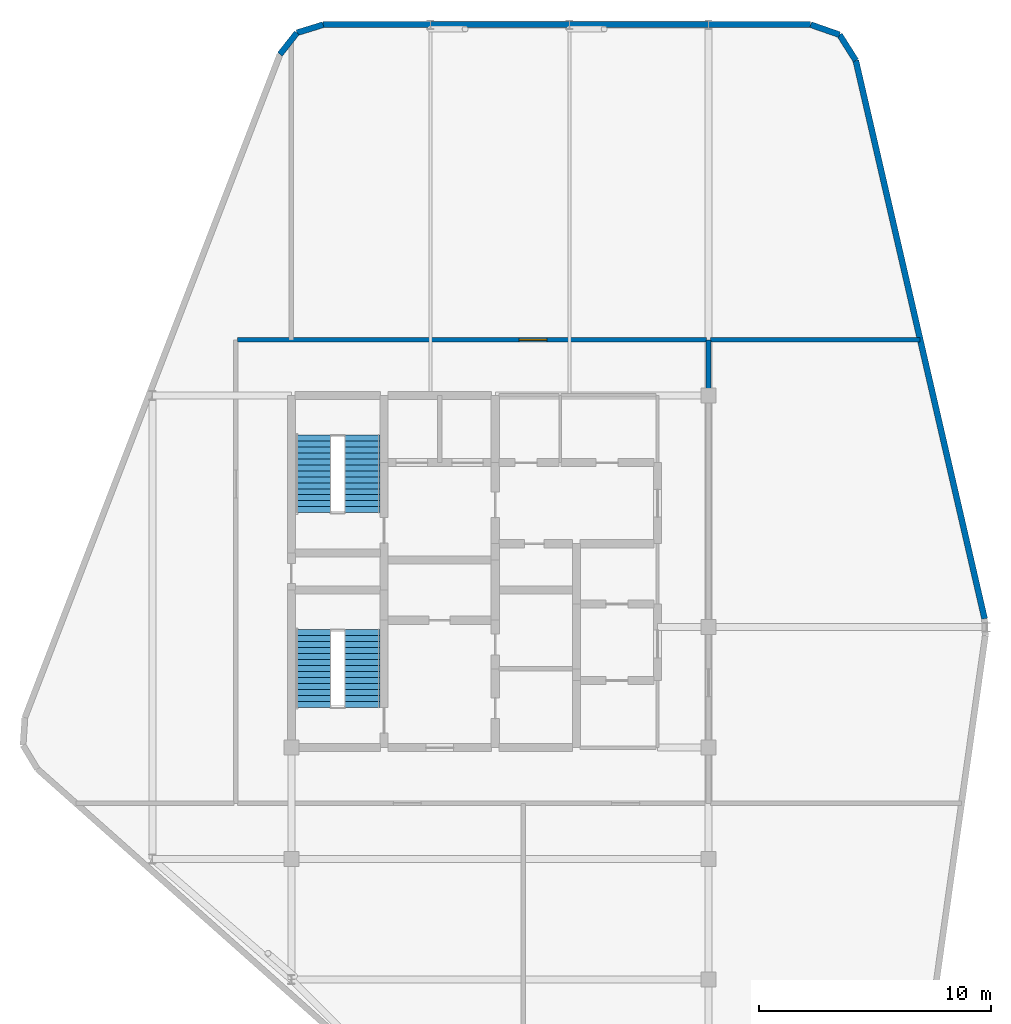
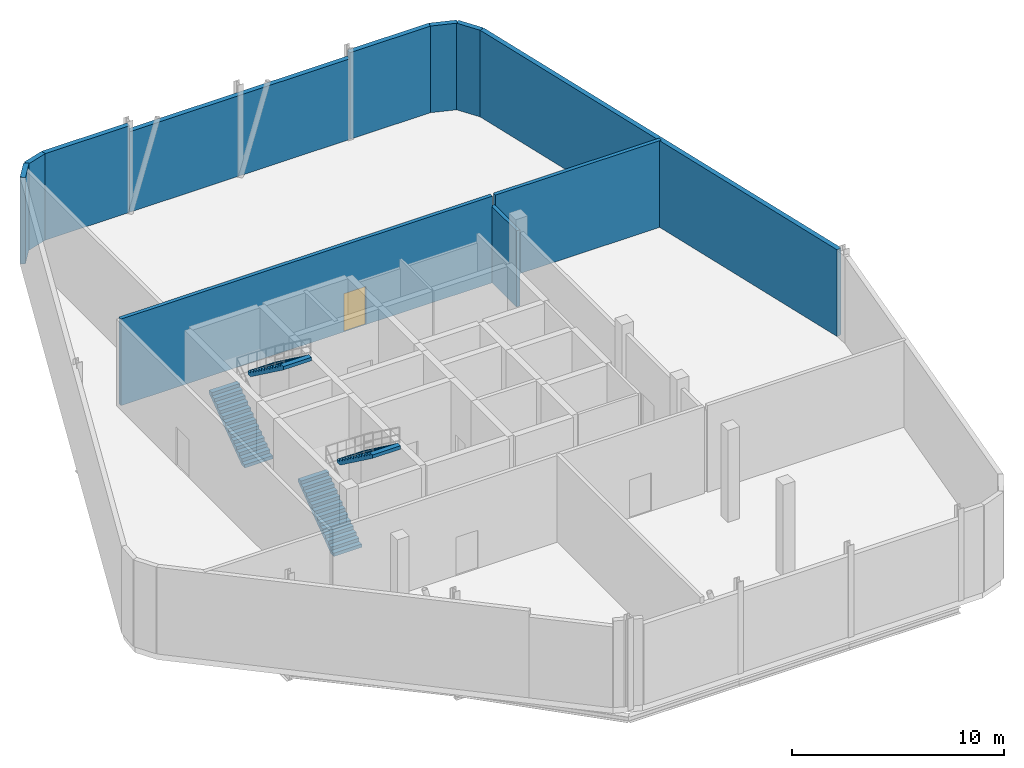
# One storey, part 5 of 6: 11 walls, 4 stair flights, 1 door, 1 opening, 2 elements without a shape of their own.
"""IFC4 building model written with IfcOpenShell, lengths in metres."""

from ifc_helpers import new_model, si_unit, direction, frame, frame_2d, origin, place, context, subcontext, project, spatial, polyline, rectangle, outline, extrude, material, layer, layer_set, type_object, element, fill, aggregate, save


model = new_model("IFC4")

# Units and contexts
model_context = context("Model", 3, precision=1e-05, world=origin(), true_north=direction((0.0, 1.0)))
body_context = subcontext(model_context, "Body", "Model", "MODEL_VIEW")
ifc_project = project(units=[si_unit("LENGTHUNIT", "METRE"), si_unit("AREAUNIT", "SQUARE_METRE"), si_unit("VOLUMEUNIT", "CUBIC_METRE"), si_unit("PLANEANGLEUNIT", "RADIAN"), si_unit("MASSUNIT", "GRAM", prefix="KILO")], contexts=[model_context])

# Site, building, storey
site_placement = place(None, origin())
site = spatial("IfcSite", under=ifc_project, at=site_placement, CompositionType="ELEMENT")
building_placement = place(site_placement, origin())
building = spatial("IfcBuilding", under=site, at=building_placement, Name="Keshet Zoharim Tower", CompositionType="ELEMENT")
storey_placement = place(building_placement, frame((0.0, 0.0, 314.699951171875)))
storey = spatial("IfcBuildingStorey", under=building, at=storey_placement, Name="L79", CompositionType="ELEMENT", Elevation=314.699951171875)

# Walls
ifc_material_1 = material(Name="Concrete C50/60 precast", Category="concrete")
ifc_layer_1 = layer(ifc_material_1, 0.260009765625)
ifc_layer_set_1 = layer_set([ifc_layer_1], Name="Concrete C50/60 precast")
wall_type_1 = type_object("IfcWallType", Name="WL-EXT-260", PredefinedType="STANDARD", material=ifc_layer_set_1)
wall_1_placement = place(storey_placement, frame((14.507080078125, 52.617919921875, 0.0), z_axis=(0.0, 0.0, 1.0), x_axis=(0.619003121736, 0.78538852505, 0.0)))
element("IfcWall", 1, at=wall_1_placement, inside=storey, type_object=wall_type_1, Name="L79 Exterior Facade Wall 04", PredefinedType="STANDARD", context=body_context, shape_type="SweptSolid", body=[
    extrude(rectangle(XDim=1.185546875, YDim=0.260009765625, at=frame_2d((0.5927734375, 0.0))), origin(), (0.0, 0.0, 1.0), 4.989990234375),
])
wall_2_placement = place(storey_placement, frame((15.240966796875, 53.549072265625, 0.0), z_axis=(0.0, 0.0, 1.0), x_axis=(0.955256816454, 0.295777643879, 0.0)))
element("IfcWall", 2, at=wall_2_placement, inside=storey, type_object=wall_type_1, Name="L79 Exterior Facade Wall 05", PredefinedType="STANDARD", context=body_context, shape_type="SweptSolid", body=[
    extrude(rectangle(XDim=1.18603515625, YDim=0.260009765625, at=frame_2d((0.593017578125, 0.0))), origin(), (0.0, 0.0, 1.0), 4.989990234375),
])
wall_3_placement = place(storey_placement, frame((16.3740234375, 53.89990234375, 0.0), z_axis=(0.0, 0.0, 1.0), x_axis=(1.0, 0.0, 0.0)))
element("IfcWall", 3, at=wall_3_placement, inside=storey, type_object=wall_type_1, Name="L79 Exterior Facade Wall 06", PredefinedType="STANDARD", context=body_context, shape_type="SweptSolid", body=[
    extrude(rectangle(XDim=4.6259765625, YDim=0.260009765625, at=frame_2d((2.31298828125, 0.0))), origin(), (0.0, 0.0, 1.0), 4.989990234375),
])
wall_4_placement = place(storey_placement, frame((37.408935546875, 53.89990234375, 0.0), z_axis=(0.0, 0.0, 1.0), x_axis=(0.944089004862, -0.329690689737, 0.0)))
element("IfcWall", 4, at=wall_4_placement, inside=storey, type_object=wall_type_1, Name="L79 Exterior Facade Wall 07", PredefinedType="STANDARD", context=body_context, shape_type="SweptSolid", body=[
    extrude(rectangle(XDim=1.31884765625, YDim=0.260009765625, at=frame_2d((0.659423828125, 0.0))), origin(), (0.0, 0.0, 1.0), 4.989990234375),
])
wall_5_placement = place(storey_placement, frame((38.654052734375, 53.465087890625, 0.0), z_axis=(0.0, 0.0, 1.0), x_axis=(0.53380488896, -0.845607675297, 0.0)))
element("IfcWall", 5, at=wall_5_placement, inside=storey, type_object=wall_type_1, Name="L79 Exterior Facade Wall 08", PredefinedType="STANDARD", context=body_context, shape_type="SweptSolid", body=[
    extrude(rectangle(XDim=1.318603515625, YDim=0.260009765625, at=frame_2d((0.6591796875, 0.0))), origin(), (0.0, 0.0, 1.0), 4.989990234375),
])
wall_6_placement = place(storey_placement, frame((39.35791015625, 52.35009765625, 0.0), z_axis=(0.0, 0.0, 1.0), x_axis=(0.224832819719, -0.974397353843, 0.0)))
element("IfcWall", 6, at=wall_6_placement, inside=storey, type_object=wall_type_1, Name="L79 Exterior Facade Wall 09", PredefinedType="STANDARD", context=body_context, shape_type="SweptSolid", body=[
    extrude(rectangle(XDim=24.720947265625, YDim=0.260009765625, at=frame_2d((12.3603515625, 0.0))), origin(), (0.0, 0.0, 1.0), 4.989990234375),
])
wall_7_placement = place(storey_placement, frame((21.0, 53.89990234375, 0.0), z_axis=(0.0, 0.0, 1.0), x_axis=(1.0, 0.0, 0.0)))
element("IfcWall", 7, at=wall_7_placement, inside=storey, type_object=wall_type_1, Name="L79 Exterior Facade Wall 06 Part 2", PredefinedType="STANDARD", context=body_context, shape_type="SweptSolid", body=[
    extrude(rectangle(XDim=12.0, YDim=0.260009765625, at=frame_2d((6.0, 0.0))), origin(), (0.0, 0.0, 1.0), 4.64013671875),
])
wall_8_placement = place(storey_placement, frame((33.0, 53.89990234375, 0.0), z_axis=(0.0, 0.0, 1.0), x_axis=(1.0, 0.0, 0.0)))
element("IfcWall", 8, at=wall_8_placement, inside=storey, type_object=wall_type_1, Name="L79 Exterior Facade Wall 06 Part 3", PredefinedType="STANDARD", context=body_context, shape_type="SweptSolid", body=[
    extrude(rectangle(XDim=4.408935546875, YDim=0.260009765625, at=frame_2d((2.20458984375, 0.0))), origin(), (0.0, 0.0, 1.0), 4.989990234375),
])

# Wall, opening, door
ifc_material_2 = material(Name="Concrete C50/60", Category="concrete")
ifc_layer_2 = layer(ifc_material_2, 0.199951171875)
ifc_layer_set_2 = layer_set([ifc_layer_2], Name="Concrete C50/60")
wall_type_2 = type_object("IfcWallType", Name="WL-FIRE-200", PredefinedType="STANDARD", material=ifc_layer_set_2)
wall_9_placement = place(storey_placement, frame((12.68505859375, 40.300048828125, 0.0), z_axis=(0.0, 0.0, 1.0), x_axis=(1.0, 0.0, 0.0)))
wall_9 = element("IfcWall", 9, at=wall_9_placement, inside=storey, type_object=wall_type_2, Name="L79 Interior Wall 053", PredefinedType="STANDARD", context=body_context, shape_type="SweptSolid", body=[
    extrude(rectangle(XDim=20.22998046875, YDim=0.199951171875, at=frame_2d((10.114990234375, 0.0))), origin(), (0.0, 0.0, 1.0), 4.989990234375),
])
opening_placement = place(wall_9_placement, frame((12.139892578125, 0.0, 0.0)))
opening = element("IfcOpeningElement", 10, at=opening_placement, cuts=wall_9, Name="Opening D-F612", PredefinedType="OPENING", context=body_context, shape_type="SweptSolid", body=[
    extrude(rectangle(XDim=1.199951171875, YDim=2.199951171875, at=frame_2d((0.60009765625, 1.10009765625))), frame((0.0, 0.10986328125, 0.0), z_axis=(0.0, -1.0, 0.0), x_axis=(1.0, 0.0, 0.0)), (0.0, 0.0, 1.0), 0.219970703125),
])
ifc_material_3 = material(Name="Hardwood Timber", Category="wood")
door_type = type_object("IfcDoorType", Name="DR-FD60-120", OperationType="NOTDEFINED", PredefinedType="DOOR", material=ifc_material_3)
door_placement = place(opening_placement, origin())
door = element("IfcDoor", 11, at=door_placement, inside=storey, type_object=door_type, Name="L79 Mechanical AHU Plant Room Fire Door", OperationType="SINGLE_SWING_LEFT", OverallHeight=2.199951171875, OverallWidth=1.199951171875, PredefinedType="DOOR", context=body_context, shape_type="SweptSolid", body=[
    extrude(rectangle(XDim=1.199951171875, YDim=2.199951171875, at=frame_2d((0.60009765625, 1.10009765625))), frame((0.0, 0.02490234375, 0.0), z_axis=(0.0, -1.0, 0.0), x_axis=(1.0, 0.0, 0.0)), (0.0, 0.0, 1.0), 0.050048828125),
])
fill(opening, door)

# Walls
wall_10_placement = place(storey_placement, frame((33.0849609375, 40.300048828125, 0.0), z_axis=(0.0, 0.0, 1.0), x_axis=(1.0, 0.0, 0.0)))
element("IfcWall", 12, at=wall_10_placement, inside=storey, type_object=wall_type_2, Name="L79 Interior Wall 054", PredefinedType="STANDARD", context=body_context, shape_type="SweptSolid", body=[
    extrude(rectangle(XDim=9.04296875, YDim=0.199951171875, at=frame_2d((4.521484375, 0.0))), origin(), (0.0, 0.0, 1.0), 4.989990234375),
])
wall_11_placement = place(storey_placement, frame((33.0, 37.89990234375, 0.0), z_axis=(0.0, 0.0, 1.0), x_axis=(0.0, 1.0, 0.0)))
element("IfcWall", 13, at=wall_11_placement, inside=storey, type_object=wall_type_2, Name="L79 Interior Wall 028 Part 3", PredefinedType="STANDARD", context=body_context, shape_type="SweptSolid", body=[
    extrude(rectangle(XDim=2.400146484375, YDim=0.199951171875, at=frame_2d((1.2001953125, 0.0))), origin(), (0.0, 0.0, 1.0), 4.39013671875),
])

# Stair, stair flights
stair_type = type_object("IfcStairType", Name="STR-EXIT-135", PredefinedType="HALF_TURN_STAIR", material=ifc_material_2)
stair_1_placement = place(storey_placement, origin())
stair_1 = element("IfcStair", 14, at=stair_1_placement, inside=storey, type_object=stair_type, Name="L79 Enclosed Exit Stair ST-01", PredefinedType="HALF_TURN_STAIR")
stair_flight_type = type_object("IfcStairFlightType", Name="FLT-PRE-135", PredefinedType="STRAIGHT", material=ifc_material_2)
stair_flight_1_placement = place(storey_placement, frame((15.945068359375, 24.43994140625, 0.0), z_axis=(0.0, 0.0, 1.0), x_axis=(0.0, 1.0, 0.0)))
stair_flight_1 = element("IfcStairFlight", 15, at=stair_flight_1_placement, type_object=stair_flight_type, Name="ST-01 flight 1", NumberOfRisers=14, NumberOfTreads=13, PredefinedType="STRAIGHT", RiserHeight=0.189286, TreadLength=0.258, context=body_context, shape_type="SweptSolid", body=[
    extrude(outline(polyline([(0.0, 0.0), (0.0, 0.189208984375), (0.258056640625, 0.189208984375), (0.258056640625, 0.378662109375), (0.51611328125, 0.378662109375), (0.51611328125, 0.56787109375), (0.77392578125, 0.56787109375), (0.77392578125, 0.757080078125), (1.031982421875, 0.757080078125), (1.031982421875, 0.946533203125), (1.2900390625, 0.946533203125), (1.2900390625, 1.1357421875), (1.548095703125, 1.1357421875), (1.548095703125, 1.324951171875), (1.805908203125, 1.324951171875), (1.805908203125, 1.514404296875), (2.06396484375, 1.514404296875), (2.06396484375, 1.70361328125), (2.322021484375, 1.70361328125), (2.322021484375, 1.892822265625), (2.580078125, 1.892822265625), (2.580078125, 2.08203125), (2.837890625, 2.08203125), (2.837890625, 2.271484375), (3.095947265625, 2.271484375), (3.095947265625, 2.460693359375), (3.35400390625, 2.460693359375), (3.35400390625, 2.64990234375), (3.35400390625, 2.262451171875), (0.270263671875, 0.0), (0.0, 0.0)])), frame((0.0, 0.76513671875, 0.0), z_axis=(0.0, -1.0, 0.0), x_axis=(1.0, 0.0, 0.0)), (0.0, 0.0, 1.0), 1.530029296875),
])
stair_flight_2_placement = place(storey_placement, frame((18.054931640625, 27.7939453125, 2.650146484375), z_axis=(0.0, 0.0, 1.0), x_axis=(0.0, -1.0, 0.0)))
stair_flight_2 = element("IfcStairFlight", 16, at=stair_flight_2_placement, type_object=stair_flight_type, Name="ST-01 flight 2", NumberOfRisers=14, NumberOfTreads=13, PredefinedType="STRAIGHT", RiserHeight=0.189286, TreadLength=0.258, context=body_context, shape_type="SweptSolid", body=[
    extrude(outline(polyline([(0.0, 0.0), (0.0, 0.189208984375), (0.258056640625, 0.189208984375), (0.258056640625, 0.378662109375), (0.51611328125, 0.378662109375), (0.51611328125, 0.56787109375), (0.77392578125, 0.56787109375), (0.77392578125, 0.757080078125), (1.031982421875, 0.757080078125), (1.031982421875, 0.946533203125), (1.2900390625, 0.946533203125), (1.2900390625, 1.1357421875), (1.548095703125, 1.1357421875), (1.548095703125, 1.324951171875), (1.805908203125, 1.324951171875), (1.805908203125, 1.514404296875), (2.06396484375, 1.514404296875), (2.06396484375, 1.70361328125), (2.322021484375, 1.70361328125), (2.322021484375, 1.892822265625), (2.580078125, 1.892822265625), (2.580078125, 2.08203125), (2.837890625, 2.08203125), (2.837890625, 2.271484375), (3.095947265625, 2.271484375), (3.095947265625, 2.460693359375), (3.35400390625, 2.460693359375), (3.35400390625, 2.64990234375), (3.35400390625, 2.262451171875), (0.270263671875, 0.0), (0.0, 0.0)])), frame((0.0, 0.76513671875, 0.0), z_axis=(0.0, -1.0, 0.0), x_axis=(1.0, 0.0, 0.0)), (0.0, 0.0, 1.0), 1.530029296875),
])
aggregate(stair_1, [stair_flight_1, stair_flight_2])

stair_2_placement = place(storey_placement, origin())
stair_2 = element("IfcStair", 17, at=stair_2_placement, inside=storey, type_object=stair_type, Name="L79 Enclosed Exit Stair ST-02", PredefinedType="HALF_TURN_STAIR")
stair_flight_3_placement = place(storey_placement, frame((15.945068359375, 32.840087890625, 0.0), z_axis=(0.0, 0.0, 1.0), x_axis=(0.0, 1.0, 0.0)))
stair_flight_3 = element("IfcStairFlight", 18, at=stair_flight_3_placement, type_object=stair_flight_type, Name="ST-02 flight 1", NumberOfRisers=14, NumberOfTreads=13, PredefinedType="STRAIGHT", RiserHeight=0.189286, TreadLength=0.258, context=body_context, shape_type="SweptSolid", body=[
    extrude(outline(polyline([(0.0, 0.0), (0.0, 0.189208984375), (0.258056640625, 0.189208984375), (0.258056640625, 0.378662109375), (0.51611328125, 0.378662109375), (0.51611328125, 0.56787109375), (0.77392578125, 0.56787109375), (0.77392578125, 0.757080078125), (1.031982421875, 0.757080078125), (1.031982421875, 0.946533203125), (1.2900390625, 0.946533203125), (1.2900390625, 1.1357421875), (1.548095703125, 1.1357421875), (1.548095703125, 1.324951171875), (1.805908203125, 1.324951171875), (1.805908203125, 1.514404296875), (2.06396484375, 1.514404296875), (2.06396484375, 1.70361328125), (2.322021484375, 1.70361328125), (2.322021484375, 1.892822265625), (2.580078125, 1.892822265625), (2.580078125, 2.08203125), (2.837890625, 2.08203125), (2.837890625, 2.271484375), (3.095947265625, 2.271484375), (3.095947265625, 2.460693359375), (3.35400390625, 2.460693359375), (3.35400390625, 2.64990234375), (3.35400390625, 2.262451171875), (0.270263671875, 0.0), (0.0, 0.0)])), frame((0.0, 0.76513671875, 0.0), z_axis=(0.0, -1.0, 0.0), x_axis=(1.0, 0.0, 0.0)), (0.0, 0.0, 1.0), 1.530029296875),
])
stair_flight_4_placement = place(storey_placement, frame((18.054931640625, 36.194091796875, 2.650146484375), z_axis=(0.0, 0.0, 1.0), x_axis=(0.0, -1.0, 0.0)))
stair_flight_4 = element("IfcStairFlight", 19, at=stair_flight_4_placement, type_object=stair_flight_type, Name="ST-02 flight 2", NumberOfRisers=14, NumberOfTreads=13, PredefinedType="STRAIGHT", RiserHeight=0.189286, TreadLength=0.258, context=body_context, shape_type="SweptSolid", body=[
    extrude(outline(polyline([(0.0, 0.0), (0.0, 0.189208984375), (0.258056640625, 0.189208984375), (0.258056640625, 0.378662109375), (0.51611328125, 0.378662109375), (0.51611328125, 0.56787109375), (0.77392578125, 0.56787109375), (0.77392578125, 0.757080078125), (1.031982421875, 0.757080078125), (1.031982421875, 0.946533203125), (1.2900390625, 0.946533203125), (1.2900390625, 1.1357421875), (1.548095703125, 1.1357421875), (1.548095703125, 1.324951171875), (1.805908203125, 1.324951171875), (1.805908203125, 1.514404296875), (2.06396484375, 1.514404296875), (2.06396484375, 1.70361328125), (2.322021484375, 1.70361328125), (2.322021484375, 1.892822265625), (2.580078125, 1.892822265625), (2.580078125, 2.08203125), (2.837890625, 2.08203125), (2.837890625, 2.271484375), (3.095947265625, 2.271484375), (3.095947265625, 2.460693359375), (3.35400390625, 2.460693359375), (3.35400390625, 2.64990234375), (3.35400390625, 2.262451171875), (0.270263671875, 0.0), (0.0, 0.0)])), frame((0.0, 0.76513671875, 0.0), z_axis=(0.0, -1.0, 0.0), x_axis=(1.0, 0.0, 0.0)), (0.0, 0.0, 1.0), 1.530029296875),
])
aggregate(stair_2, [stair_flight_3, stair_flight_4])

save(model, "model.ifc")
